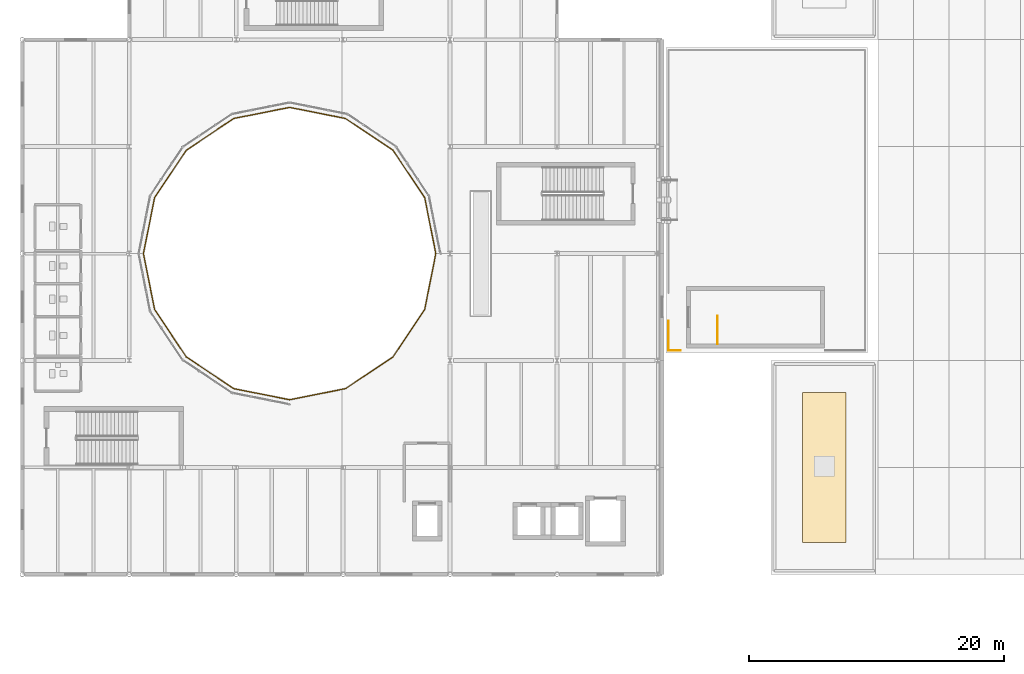
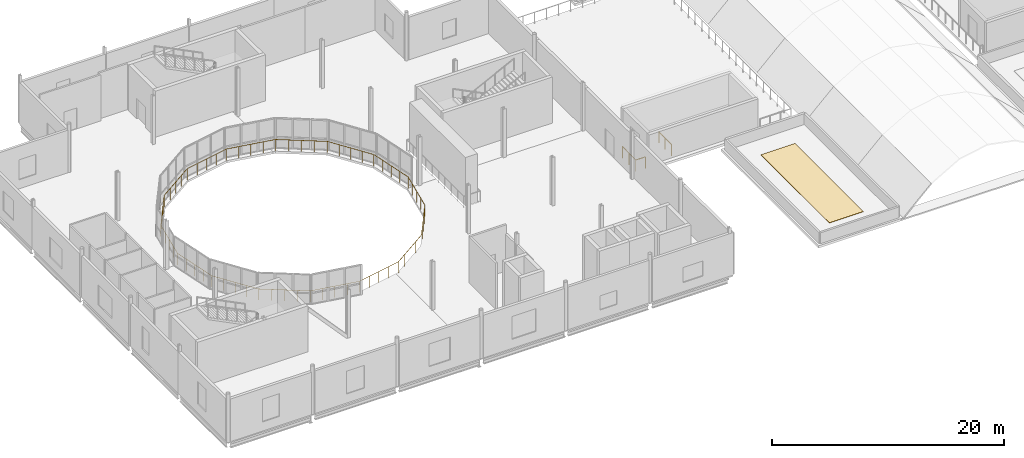
# One storey, part 80 of 91: 3 railings, 1 covering.
"""IFC4 building model written with IfcOpenShell, lengths in metres."""

from ifc_helpers import new_model, si_unit, direction, frame, origin, origin_2d, place, context, subcontext, project, spatial, polyline, circle, outline, extrude, material, layer, layer_set, type_object, element, save


model = new_model("IFC4")

# Units and contexts
model_context = context("Model", 3, precision=1e-05, world=origin(), true_north=direction((0.0, 1.0)))
body_context = subcontext(model_context, "Body", "Model", "MODEL_VIEW")
ifc_project = project(units=[si_unit("LENGTHUNIT", "METRE"), si_unit("AREAUNIT", "SQUARE_METRE"), si_unit("VOLUMEUNIT", "CUBIC_METRE"), si_unit("PLANEANGLEUNIT", "RADIAN"), si_unit("MASSUNIT", "GRAM", prefix="KILO"), si_unit("THERMODYNAMICTEMPERATUREUNIT", "KELVIN")], contexts=[model_context])

# Site, building, storey
site_placement = place(None, origin())
site = spatial("IfcSite", under=ifc_project, at=site_placement, CompositionType="ELEMENT")
building_placement = place(site_placement, origin())
building = spatial("IfcBuilding", under=site, at=building_placement, Name="Lustrewick Department Store", CompositionType="ELEMENT")
storey_placement = place(building_placement, frame((0.0, 0.0, 21.60009765625)))
storey = spatial("IfcBuildingStorey", under=building, at=storey_placement, Name="L05", CompositionType="ELEMENT", Elevation=21.60009765625)

# Covering
ifc_material_1 = material(Name="Single-ply TPO insulated roofing membrane", Category="plastic")
ifc_layer = layer(ifc_material_1, 0.034912109375, Name="Single-ply TPO insulated roofing membrane")
ifc_layer_set = layer_set([ifc_layer], Name="Single-ply TPO insulated roofing membrane")
covering_type = type_object("IfcCoveringType", Name="COV-ROOF", PredefinedType="ROOFING", material=ifc_layer_set)
covering_placement = place(storey_placement, origin())
element("IfcCovering", 1, at=covering_placement, inside=storey, type_object=covering_type, Name="L05 TPO Roof Membrane 03", PredefinedType="ROOFING", context=body_context, shape_type="SweptSolid", body=[
    extrude(outline(polyline([(73.10009765625, 56.300048828125), (69.699951171875, 56.300048828125), (69.699951171875, 44.5), (73.10009765625, 44.5), (73.10009765625, 56.300048828125)])), origin(), (0.0, 0.0, 1.0), 0.034912109375),
])

# Railings
ifc_material_2 = material(Name="Laminated safety glass and bronze atrium balustrade", Category="glass")
railing_type_1 = type_object("IfcRailingType", Name="RL-BAL", PredefinedType="BALUSTRADE", material=ifc_material_2)
railing_1_placement = place(storey_placement, frame((40.87841796875, 67.184326171875, 0.0)))
element("IfcRailing", 2, at=railing_1_placement, inside=storey, type_object=railing_type_1, Name="L05 Atrium Void Balustrade 0046", PredefinedType="BALUSTRADE", context=body_context, shape_type="SweptSolid", body=[
    extrude(circle(Radius=0.02392578125, at=origin_2d()), frame((0.0, 0.0, 1.17578125), z_axis=(-0.195071045556, -0.980789114533, 0.0), x_axis=(0.980789114533, -0.195071045556, 0.0)), (0.0, 0.0, 1.0), 4.447998046875),
    extrude(circle(Radius=0.02392578125, at=origin_2d()), frame((-0.86767578125, -4.362548828125, 1.17578125), z_axis=(-0.249878019022, -0.968277323709, 0.0), x_axis=(0.968277323709, -0.249878019022, 0.0)), (0.0, 0.0, 1.0), 0.0078125),
    extrude(circle(Radius=0.02392578125, at=origin_2d()), frame((-0.86962890625, -4.3701171875, 1.17578125), z_axis=(-0.344254649158, -0.938876315887, 0.0), x_axis=(0.938876315887, -0.344254649158, 0.0)), (0.0, 0.0, 1.0), 0.0078125),
    extrude(circle(Radius=0.02392578125, at=origin_2d()), frame((-0.872314453125, -4.37744140625, 1.17578125), z_axis=(-0.434749065831, -0.900551636365, 0.0), x_axis=(0.900551636365, -0.434749065831, 0.0)), (0.0, 0.0, 1.0), 0.0078125),
    extrude(circle(Radius=0.02392578125, at=origin_2d()), frame((-0.875732421875, -4.384521484375, 1.17578125), z_axis=(-0.496138938357, -0.868243142124, 0.0), x_axis=(0.868243142124, -0.496138938357, 0.0)), (0.0, 0.0, 1.0), 0.0078125),
    extrude(circle(Radius=0.02392578125, at=origin_2d()), frame((-0.879638671875, -4.391357421875, 1.17578125), z_axis=(-0.555561194947, -0.831475651279, 0.0), x_axis=(0.831475651279, -0.555561194947, 0.0)), (0.0, 0.0, 1.0), 4.447998046875),
    extrude(circle(Radius=0.02392578125, at=origin_2d()), frame((-3.350830078125, -8.08984375, 1.17578125), z_axis=(-0.60971076085, -0.792623989105, 0.0), x_axis=(0.792623989105, -0.60971076085, 0.0)), (0.0, 0.0, 1.0), 0.008056640625),
    extrude(circle(Radius=0.02392578125, at=origin_2d()), frame((-3.355712890625, -8.09619140625, 1.17578125), z_axis=(-0.674269364021, -0.738485493928, 0.0), x_axis=(0.738485493928, -0.674269364021, 0.0)), (0.0, 0.0, 1.0), 0.007568359375),
    extrude(circle(Radius=0.02392578125, at=origin_2d()), frame((-3.36083984375, -8.101806640625, 1.17578125), z_axis=(-0.737154140201, -0.675724628517, 0.0), x_axis=(0.675724628517, -0.737154140201, 0.0)), (0.0, 0.0, 1.0), 0.008056640625),
    extrude(circle(Radius=0.02392578125, at=origin_2d()), frame((-3.36669921875, -8.107177734375, 1.17578125), z_axis=(-0.807391122258, -0.590016589342, 0.0), x_axis=(0.590016589342, -0.807391122258, 0.0)), (0.0, 0.0, 1.0), 0.0078125),
    extrude(circle(Radius=0.02392578125, at=origin_2d()), frame((-3.373046875, -8.11181640625, 1.17578125), z_axis=(-0.831475651279, -0.555561194947, 0.0), x_axis=(0.555561194947, -0.831475651279, 0.0)), (0.0, 0.0, 1.0), 4.447998046875),
    extrude(circle(Radius=0.02392578125, at=origin_2d()), frame((-7.071533203125, -10.5830078125, 1.17578125), z_axis=(-0.84623284009, -0.532813269686, 0.0), x_axis=(0.532813269686, -0.84623284009, 0.0)), (0.0, 0.0, 1.0), 0.0078125),
    extrude(circle(Radius=0.02392578125, at=origin_2d()), frame((-7.078125, -10.587158203125, 1.17578125), z_axis=(-0.912509324515, -0.409055904093, 0.0), x_axis=(0.409055904093, -0.912509324515, 0.0)), (0.0, 0.0, 1.0), 0.0078125),
    extrude(circle(Radius=0.02392578125, at=origin_2d()), frame((-7.085205078125, -10.59033203125, 1.17578125), z_axis=(-0.938876315887, -0.344254649158, 0.0), x_axis=(0.344254649158, -0.938876315887, 0.0)), (0.0, 0.0, 1.0), 0.0078125),
    extrude(circle(Radius=0.02392578125, at=origin_2d()), frame((-7.092529296875, -10.593017578125, 1.17578125), z_axis=(-0.968277323709, -0.249878019022, 0.0), x_axis=(0.249878019022, -0.968277323709, 0.0)), (0.0, 0.0, 1.0), 0.0078125),
    extrude(circle(Radius=0.02392578125, at=origin_2d()), frame((-7.10009765625, -10.594970703125, 1.17578125), z_axis=(-0.980780701472, -0.195113340444, 0.0), x_axis=(0.195113340444, -0.980780701472, 0.0)), (0.0, 0.0, 1.0), 4.4482421875),
    extrude(circle(Radius=0.02392578125, at=origin_2d()), frame((-11.462890625, -11.462890625, 1.17578125), z_axis=(-0.992277876714, -0.124034734589, 0.0), x_axis=(0.124034734589, -0.992277876714, 0.0)), (0.0, 0.0, 1.0), 0.0078125),
    extrude(circle(Radius=0.02392578125, at=origin_2d()), frame((-11.470703125, -11.4638671875, 1.17578125), z_axis=(-0.998052578483, -0.062378286155, 0.0), x_axis=(0.062378286155, -0.998052578483, 0.0)), (0.0, 0.0, 1.0), 0.0078125),
    extrude(circle(Radius=0.02392578125, at=origin_2d()), frame((-11.478515625, -11.46435546875, 1.17578125), z_axis=(-0.998052578483, 0.062378286155, 0.0), x_axis=(-0.062378286155, -0.998052578483, 0.0)), (0.0, 0.0, 1.0), 0.0078125),
    extrude(circle(Radius=0.02392578125, at=origin_2d()), frame((-11.486328125, -11.4638671875, 1.17578125), z_axis=(-0.991777866634, 0.12797133763, 0.0), x_axis=(-0.12797133763, -0.991777866634, 0.0)), (0.0, 0.0, 1.0), 0.007568359375),
    extrude(circle(Radius=0.02392578125, at=origin_2d()), frame((-11.493896484375, -11.462890625, 1.17578125), z_axis=(-0.980780701472, 0.195113340444, 0.0), x_axis=(-0.195113340444, -0.980780701472, 0.0)), (0.0, 0.0, 1.0), 4.4482421875),
    extrude(circle(Radius=0.02392578125, at=origin_2d()), frame((-15.856689453125, -10.594970703125, 1.17578125), z_axis=(-0.968277323709, 0.249878019022, 0.0), x_axis=(-0.249878019022, -0.968277323709, 0.0)), (0.0, 0.0, 1.0), 0.0078125),
    extrude(circle(Radius=0.02392578125, at=origin_2d()), frame((-15.8642578125, -10.593017578125, 1.17578125), z_axis=(-0.938876315887, 0.344254649158, 0.0), x_axis=(-0.344254649158, -0.938876315887, 0.0)), (0.0, 0.0, 1.0), 0.0078125),
    extrude(circle(Radius=0.02392578125, at=origin_2d()), frame((-15.87158203125, -10.59033203125, 1.17578125), z_axis=(-0.912509324515, 0.409055904093, 0.0), x_axis=(-0.409055904093, -0.912509324515, 0.0)), (0.0, 0.0, 1.0), 0.0078125),
    extrude(circle(Radius=0.02392578125, at=origin_2d()), frame((-15.878662109375, -10.587158203125, 1.17578125), z_axis=(-0.854787515222, 0.518978134242, 0.0), x_axis=(-0.518978134242, -0.854787515222, 0.0)), (0.0, 0.0, 1.0), 0.008056640625),
    extrude(circle(Radius=0.02392578125, at=origin_2d()), frame((-15.885498046875, -10.5830078125, 1.17578125), z_axis=(-0.831458709496, 0.555586549876, 0.0), x_axis=(-0.555586549876, -0.831458709496, 0.0)), (0.0, 0.0, 1.0), 4.447998046875),
    extrude(circle(Radius=0.02392578125, at=origin_2d()), frame((-19.583740234375, -8.11181640625, 1.17578125), z_axis=(-0.817806419301, 0.575493406175, 0.0), x_axis=(-0.575493406175, -0.817806419301, 0.0)), (0.0, 0.0, 1.0), 0.008056640625),
    extrude(circle(Radius=0.02392578125, at=origin_2d()), frame((-19.59033203125, -8.107177734375, 1.17578125), z_axis=(-0.722641857148, 0.691222645967, 0.0), x_axis=(-0.691222645967, -0.722641857148, 0.0)), (0.0, 0.0, 1.0), 0.0078125),
    extrude(circle(Radius=0.02392578125, at=origin_2d()), frame((-19.595947265625, -8.101806640625, 1.17578125), z_axis=(-0.691222645967, 0.722641857148, 0.0), x_axis=(-0.722641857148, -0.691222645967, 0.0)), (0.0, 0.0, 1.0), 0.0078125),
    extrude(circle(Radius=0.02392578125, at=origin_2d()), frame((-19.601318359375, -8.09619140625, 1.17578125), z_axis=(-0.590016589342, 0.807391122258, 0.0), x_axis=(-0.807391122258, -0.590016589342, 0.0)), (0.0, 0.0, 1.0), 0.0078125),
    extrude(circle(Radius=0.02392578125, at=origin_2d()), frame((-19.60595703125, -8.08984375, 1.17578125), z_axis=(-0.555561194947, 0.831475651279, 0.0), x_axis=(-0.831475651279, -0.555561194947, 0.0)), (0.0, 0.0, 1.0), 4.447998046875),
    extrude(circle(Radius=0.02392578125, at=origin_2d()), frame((-22.0771484375, -4.391357421875, 1.17578125), z_axis=(-0.518978134242, 0.854787515222, 0.0), x_axis=(-0.854787515222, -0.518978134242, 0.0)), (0.0, 0.0, 1.0), 0.008056640625),
    extrude(circle(Radius=0.02392578125, at=origin_2d()), frame((-22.081298828125, -4.384521484375, 1.17578125), z_axis=(-0.409055904093, 0.912509324515, 0.0), x_axis=(-0.912509324515, -0.409055904093, 0.0)), (0.0, 0.0, 1.0), 0.0078125),
    extrude(circle(Radius=0.02392578125, at=origin_2d()), frame((-22.08447265625, -4.37744140625, 1.17578125), z_axis=(-0.344254649158, 0.938876315887, 0.0), x_axis=(-0.938876315887, -0.344254649158, 0.0)), (0.0, 0.0, 1.0), 0.0078125),
    extrude(circle(Radius=0.02392578125, at=origin_2d()), frame((-22.087158203125, -4.3701171875, 1.17578125), z_axis=(-0.249878019022, 0.968277323709, 0.0), x_axis=(-0.968277323709, -0.249878019022, 0.0)), (0.0, 0.0, 1.0), 0.0078125),
    extrude(circle(Radius=0.02392578125, at=origin_2d()), frame((-22.089111328125, -4.362548828125, 1.17578125), z_axis=(-0.195123843826, 0.980778611905, 0.0), x_axis=(-0.980778611905, -0.195123843826, 0.0)), (0.0, 0.0, 1.0), 4.447998046875),
    extrude(circle(Radius=0.02392578125, at=origin_2d()), frame((-22.95703125, 0.0, 1.17578125), z_axis=(-0.124034734589, 0.992277876714, 0.0), x_axis=(-0.992277876714, -0.124034734589, 0.0)), (0.0, 0.0, 1.0), 0.0078125),
    extrude(circle(Radius=0.02392578125, at=origin_2d()), frame((-22.9580078125, 0.0078125, 1.17578125), z_axis=(-0.062378286155, 0.998052578483, 0.0), x_axis=(-0.998052578483, -0.062378286155, 0.0)), (0.0, 0.0, 1.0), 0.0078125),
    extrude(circle(Radius=0.02392578125, at=origin_2d()), frame((-22.95849609375, 0.015625, 1.17578125), z_axis=(0.062378286155, 0.998052578483, 0.0), x_axis=(-0.998052578483, 0.062378286155, 0.0)), (0.0, 0.0, 1.0), 0.0078125),
    extrude(circle(Radius=0.02392578125, at=origin_2d()), frame((-22.9580078125, 0.0234375, 1.17578125), z_axis=(0.124034734589, 0.992277876714, 0.0), x_axis=(-0.992277876714, 0.124034734589, 0.0)), (0.0, 0.0, 1.0), 0.0078125),
    extrude(circle(Radius=0.02392578125, at=origin_2d()), frame((-22.95703125, 0.03125, 1.17578125), z_axis=(0.195123843826, 0.980778611905, 0.0), x_axis=(-0.980778611905, 0.195123843826, 0.0)), (0.0, 0.0, 1.0), 4.447998046875),
    extrude(circle(Radius=0.02392578125, at=origin_2d()), frame((-22.089111328125, 4.393798828125, 1.17578125), z_axis=(0.249878019022, 0.968277323709, 0.0), x_axis=(-0.968277323709, 0.249878019022, 0.0)), (0.0, 0.0, 1.0), 0.0078125),
    extrude(circle(Radius=0.02392578125, at=origin_2d()), frame((-22.087158203125, 4.4013671875, 1.17578125), z_axis=(0.334409845171, 0.942427745481, 0.0), x_axis=(-0.942427745481, 0.334409845171, 0.0)), (0.0, 0.0, 1.0), 0.008056640625),
    extrude(circle(Radius=0.02392578125, at=origin_2d()), frame((-22.08447265625, 4.408935546875, 1.17578125), z_axis=(0.409055904093, 0.912509324515, 0.0), x_axis=(-0.912509324515, 0.409055904093, 0.0)), (0.0, 0.0, 1.0), 0.0078125),
    extrude(circle(Radius=0.02392578125, at=origin_2d()), frame((-22.081298828125, 4.416015625, 1.17578125), z_axis=(0.532813269686, 0.84623284009, 0.0), x_axis=(-0.84623284009, 0.532813269686, 0.0)), (0.0, 0.0, 1.0), 0.0078125),
    extrude(circle(Radius=0.02392578125, at=origin_2d()), frame((-22.0771484375, 4.422607421875, 1.17578125), z_axis=(0.555561194947, 0.831475651279, 0.0), x_axis=(-0.831475651279, 0.555561194947, 0.0)), (0.0, 0.0, 1.0), 4.447998046875),
    extrude(circle(Radius=0.02392578125, at=origin_2d()), frame((-19.60595703125, 8.12109375, 1.17578125), z_axis=(0.590016589342, 0.807391122258, 0.0), x_axis=(-0.807391122258, 0.590016589342, 0.0)), (0.0, 0.0, 1.0), 0.0078125),
    extrude(circle(Radius=0.02392578125, at=origin_2d()), frame((-19.601318359375, 8.12744140625, 1.17578125), z_axis=(0.675724628517, 0.737154140201, 0.0), x_axis=(-0.737154140201, 0.675724628517, 0.0)), (0.0, 0.0, 1.0), 0.008056640625),
    extrude(circle(Radius=0.02392578125, at=origin_2d()), frame((-19.595947265625, 8.13330078125, 1.17578125), z_axis=(0.738485493928, 0.674269364021, 0.0), x_axis=(-0.674269364021, 0.738485493928, 0.0)), (0.0, 0.0, 1.0), 0.007568359375),
    extrude(circle(Radius=0.02392578125, at=origin_2d()), frame((-19.59033203125, 8.138427734375, 1.17578125), z_axis=(0.817806419301, 0.575493406175, 0.0), x_axis=(-0.575493406175, 0.817806419301, 0.0)), (0.0, 0.0, 1.0), 0.008056640625),
    extrude(circle(Radius=0.02392578125, at=origin_2d()), frame((-19.583740234375, 8.14306640625, 1.17578125), z_axis=(0.831458709496, 0.555586549876, 0.0), x_axis=(-0.555586549876, 0.831458709496, 0.0)), (0.0, 0.0, 1.0), 4.447998046875),
    extrude(circle(Radius=0.02392578125, at=origin_2d()), frame((-15.885498046875, 10.6142578125, 1.17578125), z_axis=(0.854787515222, 0.518978134242, 0.0), x_axis=(-0.518978134242, 0.854787515222, 0.0)), (0.0, 0.0, 1.0), 0.008056640625),
    extrude(circle(Radius=0.02392578125, at=origin_2d()), frame((-15.878662109375, 10.618408203125, 1.17578125), z_axis=(0.900551636365, 0.434749065831, 0.0), x_axis=(-0.434749065831, 0.900551636365, 0.0)), (0.0, 0.0, 1.0), 0.0078125),
    extrude(circle(Radius=0.02392578125, at=origin_2d()), frame((-15.87158203125, 10.621826171875, 1.17578125), z_axis=(0.938876315887, 0.344254649158, 0.0), x_axis=(-0.344254649158, 0.938876315887, 0.0)), (0.0, 0.0, 1.0), 0.0078125),
    extrude(circle(Radius=0.02392578125, at=origin_2d()), frame((-15.8642578125, 10.62451171875, 1.17578125), z_axis=(0.968277323709, 0.249878019022, 0.0), x_axis=(-0.249878019022, 0.968277323709, 0.0)), (0.0, 0.0, 1.0), 0.0078125),
    extrude(circle(Radius=0.02392578125, at=origin_2d()), frame((-15.856689453125, 10.62646484375, 1.17578125), z_axis=(0.980791202991, 0.195060544792, 0.0), x_axis=(-0.195060544792, 0.980791202991, 0.0)), (0.0, 0.0, 1.0), 4.4482421875),
    extrude(circle(Radius=0.02392578125, at=origin_2d()), frame((-11.493896484375, 11.494140625, 1.17578125), z_axis=(0.987241120713, 0.159232438825, 0.0), x_axis=(-0.159232438825, 0.987241120713, 0.0)), (0.0, 0.0, 1.0), 0.007568359375),
    extrude(circle(Radius=0.02392578125, at=origin_2d()), frame((-11.486328125, 11.495361328125, 1.17578125), z_axis=(0.999512076087, 0.031234752378, 0.0), x_axis=(-0.031234752378, 0.999512076087, 0.0)), (0.0, 0.0, 1.0), 0.0078125),
    extrude(circle(Radius=0.02392578125, at=origin_2d()), frame((-11.478515625, 11.49560546875, 1.17578125), z_axis=(0.999512076087, -0.031234752378, 0.0), x_axis=(0.031234752378, 0.999512076087, 0.0)), (0.0, 0.0, 1.0), 0.0078125),
    extrude(circle(Radius=0.02392578125, at=origin_2d()), frame((-11.470703125, 11.495361328125, 1.17578125), z_axis=(0.988012033751, -0.154376880274, 0.0), x_axis=(0.154376880274, 0.988012033751, 0.0)), (0.0, 0.0, 1.0), 0.0078125),
    extrude(circle(Radius=0.02392578125, at=origin_2d()), frame((-11.462890625, 11.494140625, 1.17578125), z_axis=(0.980791202991, -0.195060544792, 0.0), x_axis=(0.195060544792, 0.980791202991, 0.0)), (0.0, 0.0, 1.0), 4.4482421875),
    extrude(circle(Radius=0.02392578125, at=origin_2d()), frame((-7.10009765625, 10.62646484375, 1.17578125), z_axis=(0.968277323709, -0.249878019022, 0.0), x_axis=(0.249878019022, 0.968277323709, 0.0)), (0.0, 0.0, 1.0), 0.0078125),
    extrude(circle(Radius=0.02392578125, at=origin_2d()), frame((-7.092529296875, 10.62451171875, 1.17578125), z_axis=(0.938876315887, -0.344254649158, 0.0), x_axis=(0.344254649158, 0.938876315887, 0.0)), (0.0, 0.0, 1.0), 0.0078125),
    extrude(circle(Radius=0.02392578125, at=origin_2d()), frame((-7.085205078125, 10.621826171875, 1.17578125), z_axis=(0.900551636365, -0.434749065831, 0.0), x_axis=(0.434749065831, 0.900551636365, 0.0)), (0.0, 0.0, 1.0), 0.0078125),
    extrude(circle(Radius=0.02392578125, at=origin_2d()), frame((-7.078125, 10.618408203125, 1.17578125), z_axis=(0.84623284009, -0.532813269686, 0.0), x_axis=(0.532813269686, 0.84623284009, 0.0)), (0.0, 0.0, 1.0), 0.0078125),
    extrude(circle(Radius=0.02392578125, at=origin_2d()), frame((-7.071533203125, 10.6142578125, 1.17578125), z_axis=(0.831475651279, -0.555561194947, 0.0), x_axis=(0.555561194947, 0.831475651279, 0.0)), (0.0, 0.0, 1.0), 4.447998046875),
    extrude(circle(Radius=0.02392578125, at=origin_2d()), frame((-3.373046875, 8.14306640625, 1.17578125), z_axis=(0.807391122258, -0.590016589342, 0.0), x_axis=(0.590016589342, 0.807391122258, 0.0)), (0.0, 0.0, 1.0), 0.0078125),
    extrude(circle(Radius=0.02392578125, at=origin_2d()), frame((-3.36669921875, 8.138427734375, 1.17578125), z_axis=(0.752576694707, -0.658504607869, 0.0), x_axis=(0.658504607869, 0.752576694707, 0.0)), (0.0, 0.0, 1.0), 0.0078125),
    extrude(circle(Radius=0.02392578125, at=origin_2d()), frame((-3.36083984375, 8.13330078125, 1.17578125), z_axis=(0.658504607869, -0.752576694707, 0.0), x_axis=(0.752576694707, 0.658504607869, 0.0)), (0.0, 0.0, 1.0), 0.0078125),
    extrude(circle(Radius=0.02392578125, at=origin_2d()), frame((-3.355712890625, 8.12744140625, 1.17578125), z_axis=(0.60971076085, -0.792623989105, 0.0), x_axis=(0.792623989105, 0.60971076085, 0.0)), (0.0, 0.0, 1.0), 0.008056640625),
    extrude(circle(Radius=0.02392578125, at=origin_2d()), frame((-3.350830078125, 8.12109375, 1.17578125), z_axis=(0.555561194947, -0.831475651279, 0.0), x_axis=(0.831475651279, 0.555561194947, 0.0)), (0.0, 0.0, 1.0), 4.447998046875),
    extrude(circle(Radius=0.02392578125, at=origin_2d()), frame((-0.879638671875, 4.422607421875, 1.17578125), z_axis=(0.509802390302, -0.860291533634, 0.0), x_axis=(0.860291533634, 0.509802390302, 0.0)), (0.0, 0.0, 1.0), 0.007568359375),
    extrude(circle(Radius=0.02392578125, at=origin_2d()), frame((-0.875732421875, 4.416015625, 1.17578125), z_axis=(0.434749065831, -0.900551636365, 0.0), x_axis=(0.900551636365, 0.434749065831, 0.0)), (0.0, 0.0, 1.0), 0.0078125),
    extrude(circle(Radius=0.02392578125, at=origin_2d()), frame((-0.872314453125, 4.408935546875, 1.17578125), z_axis=(0.334409845171, -0.942427745481, 0.0), x_axis=(0.942427745481, 0.334409845171, 0.0)), (0.0, 0.0, 1.0), 0.008056640625),
    extrude(circle(Radius=0.02392578125, at=origin_2d()), frame((-0.86962890625, 4.4013671875, 1.17578125), z_axis=(0.249878019022, -0.968277323709, 0.0), x_axis=(0.968277323709, 0.249878019022, 0.0)), (0.0, 0.0, 1.0), 0.0078125),
    extrude(circle(Radius=0.02392578125, at=origin_2d()), frame((-0.86767578125, 4.393798828125, 1.17578125), z_axis=(0.195071045556, -0.980789114533, 0.0), x_axis=(0.980789114533, 0.195071045556, 0.0)), (0.0, 0.0, 1.0), 4.447998046875),
    extrude(circle(Radius=0.02392578125, at=origin_2d()), frame((0.0, 0.03125, 1.17578125), z_axis=(0.154376880274, -0.988012033751, 0.0), x_axis=(0.988012033751, 0.154376880274, 0.0)), (0.0, 0.0, 1.0), 0.0078125),
    extrude(circle(Radius=0.02392578125, at=origin_2d()), frame((0.001220703125, 0.0234375, 1.17578125), z_axis=(0.031234752378, -0.999512076087, 0.0), x_axis=(0.999512076087, 0.031234752378, 0.0)), (0.0, 0.0, 1.0), 0.0078125),
    extrude(circle(Radius=0.02392578125, at=origin_2d()), frame((0.00146484375, 0.015625, 1.17578125), z_axis=(-0.031234752378, -0.999512076087, 0.0), x_axis=(0.999512076087, -0.031234752378, 0.0)), (0.0, 0.0, 1.0), 0.0078125),
    extrude(circle(Radius=0.02392578125, at=origin_2d()), frame((0.001220703125, 0.0078125, 1.17578125), z_axis=(-0.154376880274, -0.988012033751, 0.0), x_axis=(0.988012033751, -0.154376880274, 0.0)), (0.0, 0.0, 1.0), 0.0078125),
    extrude(circle(Radius=0.02099609375, at=origin_2d()), origin(), (0.0, 0.0, 1.0), 1.15185546875),
    extrude(circle(Radius=0.02099609375, at=origin_2d()), frame((-0.216796875, -1.090576171875, 0.0)), (0.0, 0.0, 1.0), 1.15185546875),
    extrude(circle(Radius=0.02099609375, at=origin_2d()), frame((-0.433837890625, -2.18115234375, 0.0)), (0.0, 0.0, 1.0), 1.15185546875),
    extrude(circle(Radius=0.02099609375, at=origin_2d()), frame((-0.65087890625, -3.27197265625, 0.0)), (0.0, 0.0, 1.0), 1.15185546875),
    extrude(circle(Radius=0.02099609375, at=origin_2d()), frame((-0.86767578125, -4.362548828125, 0.0)), (0.0, 0.0, 1.0), 1.15185546875),
    extrude(circle(Radius=0.02099609375, at=origin_2d()), frame((-1.49755859375, -5.31591796875, 0.0)), (0.0, 0.0, 1.0), 1.15185546875),
    extrude(circle(Radius=0.02099609375, at=origin_2d()), frame((-2.115234375, -6.24072265625, 0.0)), (0.0, 0.0, 1.0), 1.15185546875),
    extrude(circle(Radius=0.02099609375, at=origin_2d()), frame((-2.73291015625, -7.165283203125, 0.0)), (0.0, 0.0, 1.0), 1.15185546875),
    extrude(circle(Radius=0.02099609375, at=origin_2d()), frame((-3.350830078125, -8.08984375, 0.0)), (0.0, 0.0, 1.0), 1.15185546875),
    extrude(circle(Radius=0.02099609375, at=origin_2d()), frame((-4.297607421875, -8.7294921875, 0.0)), (0.0, 0.0, 1.0), 1.15185546875),
    extrude(circle(Radius=0.02099609375, at=origin_2d()), frame((-5.22216796875, -9.347412109375, 0.0)), (0.0, 0.0, 1.0), 1.15185546875),
    extrude(circle(Radius=0.02099609375, at=origin_2d()), frame((-6.14697265625, -9.96533203125, 0.0)), (0.0, 0.0, 1.0), 1.15185546875),
    extrude(circle(Radius=0.02099609375, at=origin_2d()), frame((-7.071533203125, -10.5830078125, 0.0)), (0.0, 0.0, 1.0), 1.15185546875),
    extrude(circle(Radius=0.02099609375, at=origin_2d()), frame((-8.19091796875, -10.81201171875, 0.0)), (0.0, 0.0, 1.0), 1.15185546875),
    extrude(circle(Radius=0.02099609375, at=origin_2d()), frame((-9.281494140625, -11.02880859375, 0.0)), (0.0, 0.0, 1.0), 1.15185546875),
    extrude(circle(Radius=0.02099609375, at=origin_2d()), frame((-10.3720703125, -11.245849609375, 0.0)), (0.0, 0.0, 1.0), 1.15185546875),
    extrude(circle(Radius=0.02099609375, at=origin_2d()), frame((-11.462890625, -11.462890625, 0.0)), (0.0, 0.0, 1.0), 1.15185546875),
    extrude(circle(Radius=0.02099609375, at=origin_2d()), frame((-12.58447265625, -11.245849609375, 0.0)), (0.0, 0.0, 1.0), 1.15185546875),
    extrude(circle(Radius=0.02099609375, at=origin_2d()), frame((-13.67529296875, -11.02880859375, 0.0)), (0.0, 0.0, 1.0), 1.15185546875),
    extrude(circle(Radius=0.02099609375, at=origin_2d()), frame((-14.76611328125, -10.81201171875, 0.0)), (0.0, 0.0, 1.0), 1.15185546875),
    extrude(circle(Radius=0.02099609375, at=origin_2d()), frame((-15.856689453125, -10.594970703125, 0.0)), (0.0, 0.0, 1.0), 1.15185546875),
    extrude(circle(Radius=0.02099609375, at=origin_2d()), frame((-16.81005859375, -9.96533203125, 0.0)), (0.0, 0.0, 1.0), 1.15185546875),
    extrude(circle(Radius=0.02099609375, at=origin_2d()), frame((-17.734619140625, -9.347412109375, 0.0)), (0.0, 0.0, 1.0), 1.15185546875),
    extrude(circle(Radius=0.02099609375, at=origin_2d()), frame((-18.6591796875, -8.7294921875, 0.0)), (0.0, 0.0, 1.0), 1.15185546875),
    extrude(circle(Radius=0.02099609375, at=origin_2d()), frame((-19.583740234375, -8.11181640625, 0.0)), (0.0, 0.0, 1.0), 1.15185546875),
    extrude(circle(Radius=0.02099609375, at=origin_2d()), frame((-20.2236328125, -7.165283203125, 0.0)), (0.0, 0.0, 1.0), 1.15185546875),
    extrude(circle(Radius=0.02099609375, at=origin_2d()), frame((-20.841552734375, -6.24072265625, 0.0)), (0.0, 0.0, 1.0), 1.15185546875),
    extrude(circle(Radius=0.02099609375, at=origin_2d()), frame((-21.45947265625, -5.31591796875, 0.0)), (0.0, 0.0, 1.0), 1.15185546875),
    extrude(circle(Radius=0.02099609375, at=origin_2d()), frame((-22.0771484375, -4.391357421875, 0.0)), (0.0, 0.0, 1.0), 1.15185546875),
    extrude(circle(Radius=0.02099609375, at=origin_2d()), frame((-22.30615234375, -3.27197265625, 0.0)), (0.0, 0.0, 1.0), 1.15185546875),
    extrude(circle(Radius=0.02099609375, at=origin_2d()), frame((-22.52294921875, -2.18115234375, 0.0)), (0.0, 0.0, 1.0), 1.15185546875),
    extrude(circle(Radius=0.02099609375, at=origin_2d()), frame((-22.739990234375, -1.090576171875, 0.0)), (0.0, 0.0, 1.0), 1.15185546875),
    extrude(circle(Radius=0.02099609375, at=origin_2d()), frame((-22.95703125, 0.0, 0.0)), (0.0, 0.0, 1.0), 1.15185546875),
    extrude(circle(Radius=0.02099609375, at=origin_2d()), frame((-22.739990234375, 1.121826171875, 0.0)), (0.0, 0.0, 1.0), 1.15185546875),
    extrude(circle(Radius=0.02099609375, at=origin_2d()), frame((-22.52294921875, 2.21240234375, 0.0)), (0.0, 0.0, 1.0), 1.15185546875),
    extrude(circle(Radius=0.02099609375, at=origin_2d()), frame((-22.30615234375, 3.30322265625, 0.0)), (0.0, 0.0, 1.0), 1.15185546875),
    extrude(circle(Radius=0.02099609375, at=origin_2d()), frame((-22.089111328125, 4.393798828125, 0.0)), (0.0, 0.0, 1.0), 1.15185546875),
    extrude(circle(Radius=0.02099609375, at=origin_2d()), frame((-21.45947265625, 5.34716796875, 0.0)), (0.0, 0.0, 1.0), 1.15185546875),
    extrude(circle(Radius=0.02099609375, at=origin_2d()), frame((-20.841552734375, 6.27197265625, 0.0)), (0.0, 0.0, 1.0), 1.15185546875),
    extrude(circle(Radius=0.02099609375, at=origin_2d()), frame((-20.2236328125, 7.196533203125, 0.0)), (0.0, 0.0, 1.0), 1.15185546875),
    extrude(circle(Radius=0.02099609375, at=origin_2d()), frame((-19.60595703125, 8.12109375, 0.0)), (0.0, 0.0, 1.0), 1.15185546875),
    extrude(circle(Radius=0.02099609375, at=origin_2d()), frame((-18.6591796875, 8.7607421875, 0.0)), (0.0, 0.0, 1.0), 1.15185546875),
    extrude(circle(Radius=0.02099609375, at=origin_2d()), frame((-17.734619140625, 9.378662109375, 0.0)), (0.0, 0.0, 1.0), 1.15185546875),
    extrude(circle(Radius=0.02099609375, at=origin_2d()), frame((-16.81005859375, 9.99658203125, 0.0)), (0.0, 0.0, 1.0), 1.15185546875),
    extrude(circle(Radius=0.02099609375, at=origin_2d()), frame((-15.885498046875, 10.6142578125, 0.0)), (0.0, 0.0, 1.0), 1.15185546875),
    extrude(circle(Radius=0.02099609375, at=origin_2d()), frame((-14.76611328125, 10.84326171875, 0.0)), (0.0, 0.0, 1.0), 1.15185546875),
    extrude(circle(Radius=0.02099609375, at=origin_2d()), frame((-13.67529296875, 11.060302734375, 0.0)), (0.0, 0.0, 1.0), 1.15185546875),
    extrude(circle(Radius=0.02099609375, at=origin_2d()), frame((-12.58447265625, 11.27734375, 0.0)), (0.0, 0.0, 1.0), 1.15185546875),
    extrude(circle(Radius=0.02099609375, at=origin_2d()), frame((-11.493896484375, 11.494140625, 0.0)), (0.0, 0.0, 1.0), 1.15185546875),
    extrude(circle(Radius=0.02099609375, at=origin_2d()), frame((-10.3720703125, 11.27734375, 0.0)), (0.0, 0.0, 1.0), 1.15185546875),
    extrude(circle(Radius=0.02099609375, at=origin_2d()), frame((-9.281494140625, 11.060302734375, 0.0)), (0.0, 0.0, 1.0), 1.15185546875),
    extrude(circle(Radius=0.02099609375, at=origin_2d()), frame((-8.19091796875, 10.84326171875, 0.0)), (0.0, 0.0, 1.0), 1.15185546875),
    extrude(circle(Radius=0.02099609375, at=origin_2d()), frame((-7.10009765625, 10.62646484375, 0.0)), (0.0, 0.0, 1.0), 1.15185546875),
    extrude(circle(Radius=0.02099609375, at=origin_2d()), frame((-6.14697265625, 9.99658203125, 0.0)), (0.0, 0.0, 1.0), 1.15185546875),
    extrude(circle(Radius=0.02099609375, at=origin_2d()), frame((-5.22216796875, 9.378662109375, 0.0)), (0.0, 0.0, 1.0), 1.15185546875),
    extrude(circle(Radius=0.02099609375, at=origin_2d()), frame((-4.297607421875, 8.7607421875, 0.0)), (0.0, 0.0, 1.0), 1.15185546875),
    extrude(circle(Radius=0.02099609375, at=origin_2d()), frame((-3.373046875, 8.14306640625, 0.0)), (0.0, 0.0, 1.0), 1.15185546875),
    extrude(circle(Radius=0.02099609375, at=origin_2d()), frame((-2.73291015625, 7.196533203125, 0.0)), (0.0, 0.0, 1.0), 1.15185546875),
    extrude(circle(Radius=0.02099609375, at=origin_2d()), frame((-2.115234375, 6.27197265625, 0.0)), (0.0, 0.0, 1.0), 1.15185546875),
    extrude(circle(Radius=0.02099609375, at=origin_2d()), frame((-1.49755859375, 5.34716796875, 0.0)), (0.0, 0.0, 1.0), 1.15185546875),
    extrude(circle(Radius=0.02099609375, at=origin_2d()), frame((-0.879638671875, 4.422607421875, 0.0)), (0.0, 0.0, 1.0), 1.15185546875),
    extrude(circle(Radius=0.02099609375, at=origin_2d()), frame((-0.65087890625, 3.30322265625, 0.0)), (0.0, 0.0, 1.0), 1.15185546875),
    extrude(circle(Radius=0.02099609375, at=origin_2d()), frame((-0.433837890625, 2.21240234375, 0.0)), (0.0, 0.0, 1.0), 1.15185546875),
    extrude(circle(Radius=0.02099609375, at=origin_2d()), frame((-0.216796875, 1.121826171875, 0.0)), (0.0, 0.0, 1.0), 1.15185546875),
])
ifc_material_3 = material(Name="Laminated glass and anodized aluminium guardrail", Category="aluminium")
railing_type_2 = type_object("IfcRailingType", Name="RL-EXT", PredefinedType="GUARDRAIL", material=ifc_material_3)
railing_2_placement = place(storey_placement, frame((60.10009765625, 59.60009765625, 0.0)))
element("IfcRailing", 3, at=railing_2_placement, inside=storey, type_object=railing_type_2, Name="L05 Terrace Perimeter Guardrail 0007", PredefinedType="GUARDRAIL", context=body_context, shape_type="SweptSolid", body=[
    extrude(circle(Radius=0.02392578125, at=origin_2d()), frame((0.0, 0.0, 1.17578125), z_axis=(-1.0, 0.0, 0.0), x_axis=(0.0, -1.0, 0.0)), (0.0, 0.0, 1.0), 0.9501953125),
    extrude(circle(Radius=0.02392578125, at=origin_2d()), frame((-0.9501953125, 0.0, 1.17578125), z_axis=(0.0, 1.0, 0.0), x_axis=(-1.0, 0.0, 0.0)), (0.0, 0.0, 1.0), 2.310546875),
    extrude(circle(Radius=0.02099609375, at=origin_2d()), origin(), (0.0, 0.0, 1.0), 1.15185546875),
    extrude(circle(Radius=0.02099609375, at=origin_2d()), frame((-0.9501953125, 0.0, 0.0)), (0.0, 0.0, 1.0), 1.15185546875),
    extrude(circle(Radius=0.02099609375, at=origin_2d()), frame((-0.9501953125, 1.1552734375, 0.0)), (0.0, 0.0, 1.0), 1.15185546875),
    extrude(circle(Radius=0.02099609375, at=origin_2d()), frame((-0.9501953125, 2.310546875, 0.0)), (0.0, 0.0, 1.0), 1.15185546875),
])
ifc_material_4 = material(Name="Painted tubular steel stairwell guardrail", Category="steel")
railing_type_3 = type_object("IfcRailingType", Name="RL-STG", PredefinedType="GUARDRAIL", material=ifc_material_4)
railing_3_placement = place(storey_placement, frame((63.0, 60.10009765625, 0.0)))
element("IfcRailing", 4, at=railing_3_placement, inside=storey, type_object=railing_type_3, Name="L05 ST04 Top Well Guard 1", PredefinedType="GUARDRAIL", context=body_context, shape_type="SweptSolid", body=[
    extrude(circle(Radius=0.02392578125, at=origin_2d()), frame((0.0, 0.0, 1.17578125), z_axis=(0.0, 1.0, 0.0), x_axis=(-1.0, 0.0, 0.0)), (0.0, 0.0, 1.0), 2.199951171875),
    extrude(circle(Radius=0.02099609375, at=origin_2d()), origin(), (0.0, 0.0, 1.0), 1.15185546875),
    extrude(circle(Radius=0.02099609375, at=origin_2d()), frame((0.0, 1.10009765625, 0.0)), (0.0, 0.0, 1.0), 1.15185546875),
    extrude(circle(Radius=0.02099609375, at=origin_2d()), frame((0.0, 2.199951171875, 0.0)), (0.0, 0.0, 1.0), 1.15185546875),
])

save(model, "model.ifc")
